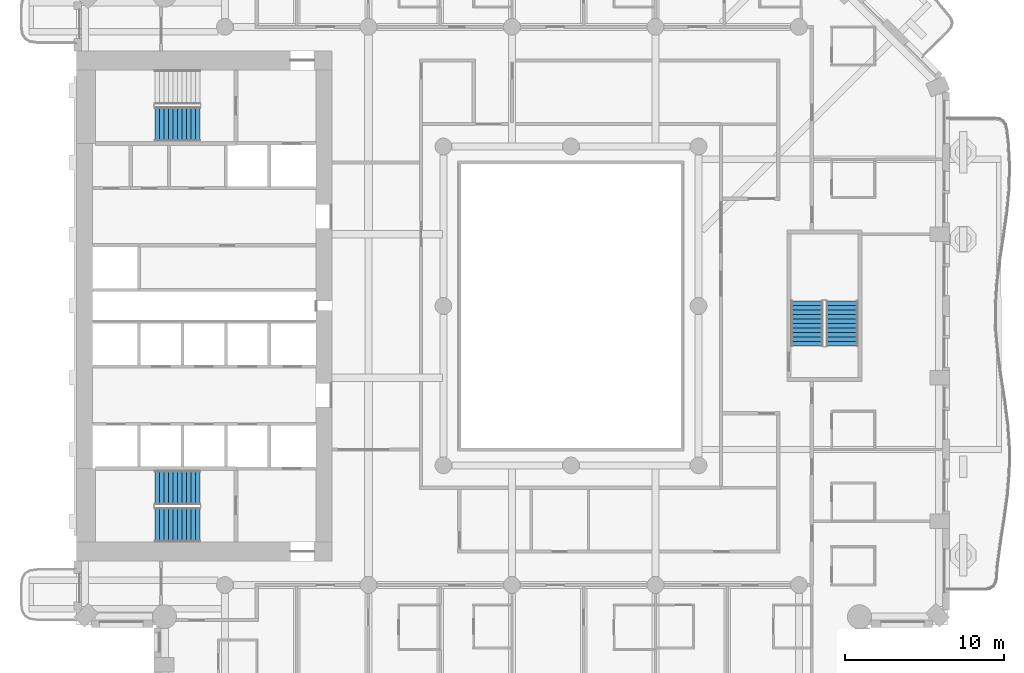
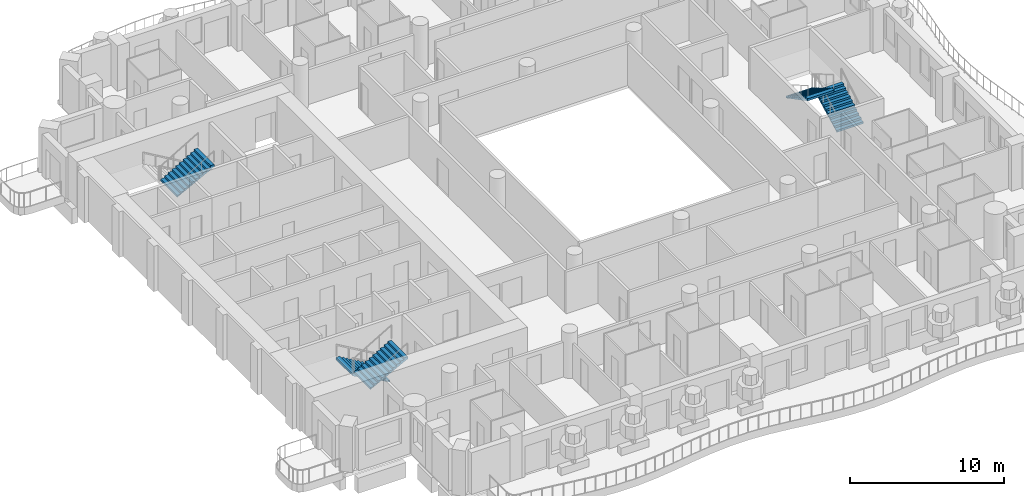
# One storey, part 11 of 20: 5 stair flights, 3 elements without a shape of their own.
"""IFC4 building model written with IfcOpenShell, lengths in metres."""

from ifc_helpers import new_model, si_unit, direction, frame, origin, place, context, subcontext, project, spatial, triangles, material, type_object, element, aggregate, save


model = new_model("IFC4")

# Units and contexts
model_context = context("Model", 3, precision=1e-05, world=origin(), true_north=direction((0.0, 1.0)))
body_context = subcontext(model_context, "Body", "Model", "MODEL_VIEW")
ifc_project = project(units=[si_unit("LENGTHUNIT", "METRE"), si_unit("AREAUNIT", "SQUARE_METRE"), si_unit("VOLUMEUNIT", "CUBIC_METRE"), si_unit("PLANEANGLEUNIT", "RADIAN"), si_unit("MASSUNIT", "GRAM", prefix="KILO")], contexts=[model_context])

# Site, building, storey
site_placement = place(None, origin())
site = spatial("IfcSite", under=ifc_project, at=site_placement, CompositionType="ELEMENT")
building_placement = place(site_placement, origin())
building = spatial("IfcBuilding", under=site, at=building_placement, Name="Cypress Arch Tower", CompositionType="ELEMENT")
storey_placement = place(building_placement, frame((0.0, 0.0, 109.5)))
storey = spatial("IfcBuildingStorey", under=building, at=storey_placement, Name="L22", CompositionType="ELEMENT", Elevation=109.5)

# Stair, stair flights
ifc_material_1 = material(Name="Concrete C40/50", Category="concrete")
stair_type_1 = type_object("IfcStairType", Name="Exit stair ES1636-200", PredefinedType="HALF_TURN_STAIR", material=ifc_material_1)
stair_1_placement = place(storey_placement, origin())
stair_1 = element("IfcStair", 1, at=stair_1_placement, inside=storey, type_object=stair_type_1, Name="L22 Exit stair C", PredefinedType="HALF_TURN_STAIR")
ifc_material_2 = material(Name="Concrete C40/50", Category="concrete")
stair_flight_type_1 = type_object("IfcStairFlightType", Name="Exit stair flight ES1636-200", PredefinedType="STRAIGHT", material=ifc_material_2)
stair_flight_1_placement = place(storey_placement, frame((18.0, -2.5, 0.0), z_axis=(0.0, 0.0, 1.0), x_axis=(0.0, 1.0, 0.0)))
stair_flight_1 = element("IfcStairFlight", 2, at=stair_flight_1_placement, type_object=stair_flight_type_1, Name="C flight 1", NumberOfRisers=11, NumberOfTreads=10, PredefinedType="STRAIGHT", RiserHeight=0.163636364, TreadLength=0.28, context=body_context, shape_type="Tessellation", body=[
    triangles([(0.0, -1.0, 0.0), (0.00048828125, -1.0, 0.054443359375), (0.00048828125, -1.0, 0.109130859375), (0.0, -1.0, 0.16357421875), (0.280029296875, -1.0, 0.16357421875), (0.280029296875, -1.0, 0.327392578125), (0.56005859375, -1.0, 0.327392578125), (0.56005859375, -1.0, 0.490966796875), (0.840087890625, -1.0, 0.490966796875), (0.840087890625, -1.0, 0.654541015625), (1.1201171875, -1.0, 0.654541015625), (1.1201171875, -1.0, 0.818115234375), (1.39990234375, -1.0, 0.818115234375), (1.39990234375, -1.0, 0.98193359375), (1.679931640625, -1.0, 0.98193359375), (1.679931640625, -1.0, 1.1455078125), (1.9599609375, -1.0, 1.1455078125), (1.9599609375, -1.0, 1.30908203125), (2.239990234375, -1.0, 1.30908203125), (2.239990234375, -1.0, 1.47265625), (2.52001953125, -1.0, 1.47265625), (2.52001953125, -1.0, 1.636474609375), (2.800048828125, -1.0, 1.636474609375), (2.799560546875, -1.0, 1.57861328125), (2.799560546875, -1.0, 1.5205078125), (2.800048828125, -1.0, 1.462646484375), (2.800048828125, 1.0, 1.462646484375), (2.799560546875, 1.0, 1.5205078125), (2.799560546875, 1.0, 1.57861328125), (2.800048828125, 1.0, 1.636474609375), (2.52001953125, 1.0, 1.636474609375), (2.52001953125, 1.0, 1.47265625), (2.239990234375, 1.0, 1.47265625), (2.239990234375, 1.0, 1.30908203125), (1.9599609375, 1.0, 1.30908203125), (1.9599609375, 1.0, 1.1455078125), (1.679931640625, 1.0, 1.1455078125), (1.679931640625, 1.0, 0.98193359375), (1.39990234375, 1.0, 0.98193359375), (1.39990234375, 1.0, 0.818115234375), (1.1201171875, 1.0, 0.818115234375), (1.1201171875, 1.0, 0.654541015625), (0.840087890625, 1.0, 0.654541015625), (0.840087890625, 1.0, 0.490966796875), (0.56005859375, 1.0, 0.490966796875), (0.56005859375, 1.0, 0.327392578125), (0.280029296875, 1.0, 0.327392578125), (0.280029296875, 1.0, 0.16357421875), (0.0, 1.0, 0.16357421875), (0.00048828125, 1.0, 0.109130859375), (0.00048828125, 1.0, 0.054443359375), (0.0, 1.0, 0.0), (2.799560546875, 0.0, 1.5205078125), (2.800048828125, 0.0, 1.462646484375), (2.799560546875, 0.0, 1.57861328125), (2.800048828125, 0.0, 1.636474609375), (2.52001953125, 0.0, 1.636474609375), (2.52001953125, 0.0, 1.47265625), (2.239990234375, 0.0, 1.47265625), (2.239990234375, 0.0, 1.30908203125), (1.9599609375, 0.0, 1.30908203125), (1.9599609375, 0.0, 1.1455078125), (1.679931640625, 0.0, 1.1455078125), (1.679931640625, 0.0, 0.98193359375), (1.39990234375, 0.0, 0.98193359375), (1.39990234375, 0.0, 0.818115234375), (1.1201171875, 0.0, 0.818115234375), (1.1201171875, 0.0, 0.654541015625), (0.840087890625, 0.0, 0.654541015625), (0.840087890625, 0.0, 0.490966796875), (0.56005859375, 0.0, 0.490966796875), (0.56005859375, 0.0, 0.327392578125), (0.280029296875, 0.0, 0.327392578125), (0.280029296875, 0.0, 0.16357421875), (0.0, 0.0, 0.16357421875), (0.00048828125, 0.0, 0.109130859375), (0.00048828125, 0.0, 0.054443359375), (0.0, 0.0, 0.0)], [[26, 25, 22], [25, 24, 22], [24, 23, 22], [15, 14, 13], [7, 6, 5], [13, 12, 11], [21, 20, 19], [19, 18, 17], [17, 16, 15], [11, 10, 9], [9, 8, 7], [4, 3, 5], [3, 2, 5], [2, 1, 5], [26, 22, 21], [26, 21, 19], [26, 19, 17], [26, 17, 15], [26, 15, 13], [26, 13, 11], [26, 11, 9], [26, 9, 7], [26, 7, 5], [26, 5, 1], [27, 31, 28], [28, 31, 29], [29, 31, 30], [38, 40, 39], [46, 48, 47], [40, 42, 41], [32, 34, 33], [34, 36, 35], [36, 38, 37], [42, 44, 43], [44, 46, 45], [49, 48, 50], [50, 48, 51], [51, 48, 52], [27, 32, 31], [27, 34, 32], [27, 36, 34], [27, 38, 36], [27, 40, 38], [27, 42, 40], [27, 44, 42], [27, 46, 44], [27, 48, 46], [27, 52, 48], [54, 53, 25], [54, 25, 26], [27, 28, 53], [27, 53, 54], [53, 55, 24], [53, 24, 25], [28, 29, 55], [28, 55, 53], [55, 56, 23], [55, 23, 24], [29, 30, 56], [29, 56, 55], [56, 57, 22], [56, 22, 23], [30, 31, 57], [30, 57, 56], [57, 58, 21], [57, 21, 22], [31, 32, 58], [31, 58, 57], [58, 59, 20], [58, 20, 21], [32, 33, 59], [32, 59, 58], [59, 60, 19], [59, 19, 20], [33, 34, 60], [33, 60, 59], [60, 61, 18], [60, 18, 19], [34, 35, 61], [34, 61, 60], [61, 62, 17], [61, 17, 18], [35, 36, 62], [35, 62, 61], [62, 63, 16], [62, 16, 17], [36, 37, 63], [36, 63, 62], [63, 64, 15], [63, 15, 16], [37, 38, 64], [37, 64, 63], [64, 65, 14], [64, 14, 15], [38, 39, 65], [38, 65, 64], [65, 66, 13], [65, 13, 14], [39, 40, 66], [39, 66, 65], [66, 67, 12], [66, 12, 13], [40, 41, 67], [40, 67, 66], [67, 68, 11], [67, 11, 12], [41, 42, 68], [41, 68, 67], [68, 69, 10], [68, 10, 11], [42, 43, 69], [42, 69, 68], [69, 70, 9], [69, 9, 10], [43, 44, 70], [43, 70, 69], [70, 71, 8], [70, 8, 9], [44, 45, 71], [44, 71, 70], [71, 72, 7], [71, 7, 8], [45, 46, 72], [45, 72, 71], [72, 73, 6], [72, 6, 7], [46, 47, 73], [46, 73, 72], [73, 74, 5], [73, 5, 6], [47, 48, 74], [47, 74, 73], [74, 75, 4], [74, 4, 5], [48, 49, 75], [48, 75, 74], [75, 76, 3], [75, 3, 4], [49, 50, 76], [49, 76, 75], [76, 77, 2], [76, 2, 3], [50, 51, 77], [50, 77, 76], [77, 78, 1], [77, 1, 2], [51, 52, 78], [51, 78, 77], [78, 54, 26], [78, 26, 1], [52, 27, 54], [52, 54, 78]], closed=True),
])
stair_flight_2_placement = place(storey_placement, frame((15.800048828125, 0.300048828125, 1.800048828125), z_axis=(0.0, 0.0, 1.0), x_axis=(0.0, -1.0, 0.0)))
stair_flight_2 = element("IfcStairFlight", 3, at=stair_flight_2_placement, type_object=stair_flight_type_1, Name="C flight 2", NumberOfRisers=11, NumberOfTreads=10, PredefinedType="STRAIGHT", RiserHeight=0.163636364, TreadLength=0.28, context=body_context, shape_type="Tessellation", body=[
    triangles([(0.0, -1.0, 0.0), (0.00048828125, -1.0, 0.054443359375), (0.00048828125, -1.0, 0.109130859375), (0.0, -1.0, 0.16357421875), (0.280029296875, -1.0, 0.16357421875), (0.280029296875, -1.0, 0.327392578125), (0.56005859375, -1.0, 0.327392578125), (0.56005859375, -1.0, 0.490966796875), (0.840087890625, -1.0, 0.490966796875), (0.840087890625, -1.0, 0.654541015625), (1.1201171875, -1.0, 0.654541015625), (1.1201171875, -1.0, 0.818115234375), (1.39990234375, -1.0, 0.818115234375), (1.39990234375, -1.0, 0.98193359375), (1.679931640625, -1.0, 0.98193359375), (1.679931640625, -1.0, 1.1455078125), (1.9599609375, -1.0, 1.1455078125), (1.9599609375, -1.0, 1.30908203125), (2.239990234375, -1.0, 1.30908203125), (2.239990234375, -1.0, 1.47265625), (2.52001953125, -1.0, 1.47265625), (2.52001953125, -1.0, 1.636474609375), (2.800048828125, -1.0, 1.636474609375), (2.799560546875, -1.0, 1.57861328125), (2.799560546875, -1.0, 1.5205078125), (2.800048828125, -1.0, 1.462646484375), (2.800048828125, 1.0, 1.462646484375), (2.799560546875, 1.0, 1.5205078125), (2.799560546875, 1.0, 1.57861328125), (2.800048828125, 1.0, 1.636474609375), (2.52001953125, 1.0, 1.636474609375), (2.52001953125, 1.0, 1.47265625), (2.239990234375, 1.0, 1.47265625), (2.239990234375, 1.0, 1.30908203125), (1.9599609375, 1.0, 1.30908203125), (1.9599609375, 1.0, 1.1455078125), (1.679931640625, 1.0, 1.1455078125), (1.679931640625, 1.0, 0.98193359375), (1.39990234375, 1.0, 0.98193359375), (1.39990234375, 1.0, 0.818115234375), (1.1201171875, 1.0, 0.818115234375), (1.1201171875, 1.0, 0.654541015625), (0.840087890625, 1.0, 0.654541015625), (0.840087890625, 1.0, 0.490966796875), (0.56005859375, 1.0, 0.490966796875), (0.56005859375, 1.0, 0.327392578125), (0.280029296875, 1.0, 0.327392578125), (0.280029296875, 1.0, 0.16357421875), (0.0, 1.0, 0.16357421875), (0.00048828125, 1.0, 0.109130859375), (0.00048828125, 1.0, 0.054443359375), (0.0, 1.0, 0.0), (2.799560546875, 0.0, 1.5205078125), (2.800048828125, 0.0, 1.462646484375), (2.799560546875, 0.0, 1.57861328125), (2.800048828125, 0.0, 1.636474609375), (2.52001953125, 0.0, 1.636474609375), (2.52001953125, 0.0, 1.47265625), (2.239990234375, 0.0, 1.47265625), (2.239990234375, 0.0, 1.30908203125), (1.9599609375, 0.0, 1.30908203125), (1.9599609375, 0.0, 1.1455078125), (1.679931640625, 0.0, 1.1455078125), (1.679931640625, 0.0, 0.98193359375), (1.39990234375, 0.0, 0.98193359375), (1.39990234375, 0.0, 0.818115234375), (1.1201171875, 0.0, 0.818115234375), (1.1201171875, 0.0, 0.654541015625), (0.840087890625, 0.0, 0.654541015625), (0.840087890625, 0.0, 0.490966796875), (0.56005859375, 0.0, 0.490966796875), (0.56005859375, 0.0, 0.327392578125), (0.280029296875, 0.0, 0.327392578125), (0.280029296875, 0.0, 0.16357421875), (0.0, 0.0, 0.16357421875), (0.00048828125, 0.0, 0.109130859375), (0.00048828125, 0.0, 0.054443359375), (0.0, 0.0, 0.0)], [[26, 25, 22], [25, 24, 22], [24, 23, 22], [15, 14, 13], [7, 6, 5], [13, 12, 11], [21, 20, 19], [19, 18, 17], [17, 16, 15], [11, 10, 9], [9, 8, 7], [4, 3, 5], [3, 2, 5], [2, 1, 5], [26, 22, 21], [26, 21, 19], [26, 19, 17], [26, 17, 15], [26, 15, 13], [26, 13, 11], [26, 11, 9], [26, 9, 7], [26, 7, 5], [26, 5, 1], [27, 31, 28], [28, 31, 29], [29, 31, 30], [38, 40, 39], [46, 48, 47], [40, 42, 41], [32, 34, 33], [34, 36, 35], [36, 38, 37], [42, 44, 43], [44, 46, 45], [49, 48, 50], [50, 48, 51], [51, 48, 52], [27, 32, 31], [27, 34, 32], [27, 36, 34], [27, 38, 36], [27, 40, 38], [27, 42, 40], [27, 44, 42], [27, 46, 44], [27, 48, 46], [27, 52, 48], [54, 53, 25], [54, 25, 26], [27, 28, 53], [27, 53, 54], [53, 55, 24], [53, 24, 25], [28, 29, 55], [28, 55, 53], [55, 56, 23], [55, 23, 24], [29, 30, 56], [29, 56, 55], [56, 57, 22], [56, 22, 23], [30, 31, 57], [30, 57, 56], [57, 58, 21], [57, 21, 22], [31, 32, 58], [31, 58, 57], [58, 59, 20], [58, 20, 21], [32, 33, 59], [32, 59, 58], [59, 60, 19], [59, 19, 20], [33, 34, 60], [33, 60, 59], [60, 61, 18], [60, 18, 19], [34, 35, 61], [34, 61, 60], [61, 62, 17], [61, 17, 18], [35, 36, 62], [35, 62, 61], [62, 63, 16], [62, 16, 17], [36, 37, 63], [36, 63, 62], [63, 64, 15], [63, 15, 16], [37, 38, 64], [37, 64, 63], [64, 65, 14], [64, 14, 15], [38, 39, 65], [38, 65, 64], [65, 66, 13], [65, 13, 14], [39, 40, 66], [39, 66, 65], [66, 67, 12], [66, 12, 13], [40, 41, 67], [40, 67, 66], [67, 68, 11], [67, 11, 12], [41, 42, 68], [41, 68, 67], [68, 69, 10], [68, 10, 11], [42, 43, 69], [42, 69, 68], [69, 70, 9], [69, 9, 10], [43, 44, 70], [43, 70, 69], [70, 71, 8], [70, 8, 9], [44, 45, 71], [44, 71, 70], [71, 72, 7], [71, 7, 8], [45, 46, 72], [45, 72, 71], [72, 73, 6], [72, 6, 7], [46, 47, 73], [46, 73, 72], [73, 74, 5], [73, 5, 6], [47, 48, 74], [47, 74, 73], [74, 75, 4], [74, 4, 5], [48, 49, 75], [48, 75, 74], [75, 76, 3], [75, 3, 4], [49, 50, 76], [49, 76, 75], [76, 77, 2], [76, 2, 3], [50, 51, 77], [50, 77, 76], [77, 78, 1], [77, 1, 2], [51, 52, 78], [51, 78, 77], [78, 54, 26], [78, 26, 1], [52, 27, 54], [52, 54, 78]], closed=True),
])
aggregate(stair_1, [stair_flight_1, stair_flight_2])

ifc_material_3 = material(Name="Concrete C40/50", Category="concrete")
stair_type_2 = type_object("IfcStairType", Name="Exit stair ES1636-215", PredefinedType="HALF_TURN_STAIR", material=ifc_material_3)
stair_2_placement = place(storey_placement, origin())
stair_2 = element("IfcStair", 4, at=stair_2_placement, inside=storey, type_object=stair_type_2, Name="L22 Exit stair A", PredefinedType="HALF_TURN_STAIR")
ifc_material_4 = material(Name="Concrete C40/50", Category="concrete")
stair_flight_type_2 = type_object("IfcStairFlightType", Name="Exit stair flight ES1636-215", PredefinedType="STRAIGHT", material=ifc_material_4)
stair_flight_3_placement = place(storey_placement, frame((-22.27490234375, -11.39990234375, 0.0), z_axis=(0.0, 0.0, 1.0), x_axis=(-1.0, 0.0, 0.0)))
stair_flight_3 = element("IfcStairFlight", 5, at=stair_flight_3_placement, type_object=stair_flight_type_2, Name="A flight 1", NumberOfRisers=11, NumberOfTreads=10, PredefinedType="STRAIGHT", RiserHeight=0.163636364, TreadLength=0.28, context=body_context, shape_type="Tessellation", body=[
    triangles([(0.0, -1.074951171875, 0.0), (0.000244140625, -1.074951171875, 0.03271484375), (0.00048828125, -1.074951171875, 0.0654296875), (0.00048828125, -1.074951171875, 0.09814453125), (0.000244140625, -1.074951171875, 0.130859375), (0.0, -1.074951171875, 0.16357421875), (0.280029296875, -1.074951171875, 0.16357421875), (0.280029296875, -1.074951171875, 0.327392578125), (0.56005859375, -1.074951171875, 0.327392578125), (0.56005859375, -1.074951171875, 0.490966796875), (0.840087890625, -1.074951171875, 0.490966796875), (0.840087890625, -1.074951171875, 0.654541015625), (1.1201171875, -1.074951171875, 0.654541015625), (1.1201171875, -1.074951171875, 0.818115234375), (1.39990234375, -1.074951171875, 0.818115234375), (1.39990234375, -1.074951171875, 0.98193359375), (1.679931640625, -1.074951171875, 0.98193359375), (1.679931640625, -1.074951171875, 1.1455078125), (1.9599609375, -1.074951171875, 1.1455078125), (1.9599609375, -1.074951171875, 1.30908203125), (2.239990234375, -1.074951171875, 1.30908203125), (2.239990234375, -1.074951171875, 1.47265625), (2.52001953125, -1.074951171875, 1.47265625), (2.52001953125, -1.074951171875, 1.636474609375), (2.800048828125, -1.074951171875, 1.636474609375), (2.7998046875, -1.074951171875, 1.601806640625), (2.799560546875, -1.074951171875, 1.56689453125), (2.799560546875, -1.074951171875, 1.5322265625), (2.7998046875, -1.074951171875, 1.497314453125), (2.800048828125, -1.074951171875, 1.462646484375), (2.800048828125, 1.074951171875, 1.462646484375), (2.7998046875, 1.074951171875, 1.497314453125), (2.799560546875, 1.074951171875, 1.5322265625), (2.799560546875, 1.074951171875, 1.56689453125), (2.7998046875, 1.074951171875, 1.601806640625), (2.800048828125, 1.074951171875, 1.636474609375), (2.52001953125, 1.074951171875, 1.636474609375), (2.52001953125, 1.074951171875, 1.47265625), (2.239990234375, 1.074951171875, 1.47265625), (2.239990234375, 1.074951171875, 1.30908203125), (1.9599609375, 1.074951171875, 1.30908203125), (1.9599609375, 1.074951171875, 1.1455078125), (1.679931640625, 1.074951171875, 1.1455078125), (1.679931640625, 1.074951171875, 0.98193359375), (1.39990234375, 1.074951171875, 0.98193359375), (1.39990234375, 1.074951171875, 0.818115234375), (1.1201171875, 1.074951171875, 0.818115234375), (1.1201171875, 1.074951171875, 0.654541015625), (0.840087890625, 1.074951171875, 0.654541015625), (0.840087890625, 1.074951171875, 0.490966796875), (0.56005859375, 1.074951171875, 0.490966796875), (0.56005859375, 1.074951171875, 0.327392578125), (0.280029296875, 1.074951171875, 0.327392578125), (0.280029296875, 1.074951171875, 0.16357421875), (0.0, 1.074951171875, 0.16357421875), (0.000244140625, 1.074951171875, 0.130859375), (0.00048828125, 1.074951171875, 0.09814453125), (0.00048828125, 1.074951171875, 0.0654296875), (0.000244140625, 1.074951171875, 0.03271484375), (0.0, 1.074951171875, 0.0), (2.7998046875, 0.0, 1.497314453125), (2.800048828125, 0.0, 1.462646484375), (2.799560546875, 0.0, 1.5322265625), (2.799560546875, 0.0, 1.56689453125), (2.7998046875, 0.0, 1.601806640625), (2.800048828125, 0.0, 1.636474609375), (2.52001953125, 0.0, 1.636474609375), (2.52001953125, 0.0, 1.47265625), (2.239990234375, 0.0, 1.47265625), (2.239990234375, 0.0, 1.30908203125), (1.9599609375, 0.0, 1.30908203125), (1.9599609375, 0.0, 1.1455078125), (1.679931640625, 0.0, 1.1455078125), (1.679931640625, 0.0, 0.98193359375), (1.39990234375, 0.0, 0.98193359375), (1.39990234375, 0.0, 0.818115234375), (1.1201171875, 0.0, 0.818115234375), (1.1201171875, 0.0, 0.654541015625), (0.840087890625, 0.0, 0.654541015625), (0.840087890625, 0.0, 0.490966796875), (0.56005859375, 0.0, 0.490966796875), (0.56005859375, 0.0, 0.327392578125), (0.280029296875, 0.0, 0.327392578125), (0.280029296875, 0.0, 0.16357421875), (0.0, 0.0, 0.16357421875), (0.000244140625, 0.0, 0.130859375), (0.00048828125, 0.0, 0.09814453125), (0.00048828125, 0.0, 0.0654296875), (0.000244140625, 0.0, 0.03271484375), (0.0, 0.0, 0.0)], [[30, 29, 24], [29, 28, 24], [28, 27, 24], [27, 26, 24], [26, 25, 24], [17, 16, 15], [9, 8, 7], [15, 14, 13], [23, 22, 21], [21, 20, 19], [19, 18, 17], [13, 12, 11], [11, 10, 9], [6, 5, 7], [5, 4, 7], [4, 3, 7], [3, 2, 7], [2, 1, 7], [30, 24, 23], [30, 23, 21], [30, 21, 19], [30, 19, 17], [30, 17, 15], [30, 15, 13], [30, 13, 11], [30, 11, 9], [30, 9, 7], [30, 7, 1], [31, 37, 32], [32, 37, 33], [33, 37, 34], [34, 37, 35], [35, 37, 36], [44, 46, 45], [52, 54, 53], [46, 48, 47], [38, 40, 39], [40, 42, 41], [42, 44, 43], [48, 50, 49], [50, 52, 51], [55, 54, 56], [56, 54, 57], [57, 54, 58], [58, 54, 59], [59, 54, 60], [31, 38, 37], [31, 40, 38], [31, 42, 40], [31, 44, 42], [31, 46, 44], [31, 48, 46], [31, 50, 48], [31, 52, 50], [31, 54, 52], [31, 60, 54], [62, 61, 29], [62, 29, 30], [31, 32, 61], [31, 61, 62], [61, 63, 28], [61, 28, 29], [32, 33, 63], [32, 63, 61], [63, 64, 27], [63, 27, 28], [33, 34, 64], [33, 64, 63], [64, 65, 26], [64, 26, 27], [34, 35, 65], [34, 65, 64], [65, 66, 25], [65, 25, 26], [35, 36, 66], [35, 66, 65], [66, 67, 24], [66, 24, 25], [36, 37, 67], [36, 67, 66], [67, 68, 23], [67, 23, 24], [37, 38, 68], [37, 68, 67], [68, 69, 22], [68, 22, 23], [38, 39, 69], [38, 69, 68], [69, 70, 21], [69, 21, 22], [39, 40, 70], [39, 70, 69], [70, 71, 20], [70, 20, 21], [40, 41, 71], [40, 71, 70], [71, 72, 19], [71, 19, 20], [41, 42, 72], [41, 72, 71], [72, 73, 18], [72, 18, 19], [42, 43, 73], [42, 73, 72], [73, 74, 17], [73, 17, 18], [43, 44, 74], [43, 74, 73], [74, 75, 16], [74, 16, 17], [44, 45, 75], [44, 75, 74], [75, 76, 15], [75, 15, 16], [45, 46, 76], [45, 76, 75], [76, 77, 14], [76, 14, 15], [46, 47, 77], [46, 77, 76], [77, 78, 13], [77, 13, 14], [47, 48, 78], [47, 78, 77], [78, 79, 12], [78, 12, 13], [48, 49, 79], [48, 79, 78], [79, 80, 11], [79, 11, 12], [49, 50, 80], [49, 80, 79], [80, 81, 10], [80, 10, 11], [50, 51, 81], [50, 81, 80], [81, 82, 9], [81, 9, 10], [51, 52, 82], [51, 82, 81], [82, 83, 8], [82, 8, 9], [52, 53, 83], [52, 83, 82], [83, 84, 7], [83, 7, 8], [53, 54, 84], [53, 84, 83], [84, 85, 6], [84, 6, 7], [54, 55, 85], [54, 85, 84], [85, 86, 5], [85, 5, 6], [55, 56, 86], [55, 86, 85], [86, 87, 4], [86, 4, 5], [56, 57, 87], [56, 87, 86], [87, 88, 3], [87, 3, 4], [57, 58, 88], [57, 88, 87], [88, 89, 2], [88, 2, 3], [58, 59, 89], [58, 89, 88], [89, 90, 1], [89, 1, 2], [59, 60, 90], [59, 90, 89], [90, 62, 30], [90, 30, 1], [60, 31, 62], [60, 62, 90]], closed=True),
])
stair_flight_4_placement = place(storey_placement, frame((-25.074951171875, -13.72509765625, 1.800048828125), z_axis=(0.0, 0.0, 1.0), x_axis=(1.0, 0.0, 0.0)))
stair_flight_4 = element("IfcStairFlight", 6, at=stair_flight_4_placement, type_object=stair_flight_type_2, Name="A flight 2", NumberOfRisers=11, NumberOfTreads=10, PredefinedType="STRAIGHT", RiserHeight=0.163636364, TreadLength=0.28, context=body_context, shape_type="Tessellation", body=[
    triangles([(0.0, -1.074951171875, 0.0), (0.000244140625, -1.074951171875, 0.03271484375), (0.00048828125, -1.074951171875, 0.0654296875), (0.00048828125, -1.074951171875, 0.09814453125), (0.000244140625, -1.074951171875, 0.130859375), (0.0, -1.074951171875, 0.16357421875), (0.280029296875, -1.074951171875, 0.16357421875), (0.280029296875, -1.074951171875, 0.327392578125), (0.56005859375, -1.074951171875, 0.327392578125), (0.56005859375, -1.074951171875, 0.490966796875), (0.840087890625, -1.074951171875, 0.490966796875), (0.840087890625, -1.074951171875, 0.654541015625), (1.1201171875, -1.074951171875, 0.654541015625), (1.1201171875, -1.074951171875, 0.818115234375), (1.39990234375, -1.074951171875, 0.818115234375), (1.39990234375, -1.074951171875, 0.98193359375), (1.679931640625, -1.074951171875, 0.98193359375), (1.679931640625, -1.074951171875, 1.1455078125), (1.9599609375, -1.074951171875, 1.1455078125), (1.9599609375, -1.074951171875, 1.30908203125), (2.239990234375, -1.074951171875, 1.30908203125), (2.239990234375, -1.074951171875, 1.47265625), (2.52001953125, -1.074951171875, 1.47265625), (2.52001953125, -1.074951171875, 1.636474609375), (2.800048828125, -1.074951171875, 1.636474609375), (2.7998046875, -1.074951171875, 1.601806640625), (2.799560546875, -1.074951171875, 1.56689453125), (2.799560546875, -1.074951171875, 1.5322265625), (2.7998046875, -1.074951171875, 1.497314453125), (2.800048828125, -1.074951171875, 1.462646484375), (2.800048828125, 1.074951171875, 1.462646484375), (2.7998046875, 1.074951171875, 1.497314453125), (2.799560546875, 1.074951171875, 1.5322265625), (2.799560546875, 1.074951171875, 1.56689453125), (2.7998046875, 1.074951171875, 1.601806640625), (2.800048828125, 1.074951171875, 1.636474609375), (2.52001953125, 1.074951171875, 1.636474609375), (2.52001953125, 1.074951171875, 1.47265625), (2.239990234375, 1.074951171875, 1.47265625), (2.239990234375, 1.074951171875, 1.30908203125), (1.9599609375, 1.074951171875, 1.30908203125), (1.9599609375, 1.074951171875, 1.1455078125), (1.679931640625, 1.074951171875, 1.1455078125), (1.679931640625, 1.074951171875, 0.98193359375), (1.39990234375, 1.074951171875, 0.98193359375), (1.39990234375, 1.074951171875, 0.818115234375), (1.1201171875, 1.074951171875, 0.818115234375), (1.1201171875, 1.074951171875, 0.654541015625), (0.840087890625, 1.074951171875, 0.654541015625), (0.840087890625, 1.074951171875, 0.490966796875), (0.56005859375, 1.074951171875, 0.490966796875), (0.56005859375, 1.074951171875, 0.327392578125), (0.280029296875, 1.074951171875, 0.327392578125), (0.280029296875, 1.074951171875, 0.16357421875), (0.0, 1.074951171875, 0.16357421875), (0.000244140625, 1.074951171875, 0.130859375), (0.00048828125, 1.074951171875, 0.09814453125), (0.00048828125, 1.074951171875, 0.0654296875), (0.000244140625, 1.074951171875, 0.03271484375), (0.0, 1.074951171875, 0.0), (2.7998046875, 0.0, 1.497314453125), (2.800048828125, 0.0, 1.462646484375), (2.799560546875, 0.0, 1.5322265625), (2.799560546875, 0.0, 1.56689453125), (2.7998046875, 0.0, 1.601806640625), (2.800048828125, 0.0, 1.636474609375), (2.52001953125, 0.0, 1.636474609375), (2.52001953125, 0.0, 1.47265625), (2.239990234375, 0.0, 1.47265625), (2.239990234375, 0.0, 1.30908203125), (1.9599609375, 0.0, 1.30908203125), (1.9599609375, 0.0, 1.1455078125), (1.679931640625, 0.0, 1.1455078125), (1.679931640625, 0.0, 0.98193359375), (1.39990234375, 0.0, 0.98193359375), (1.39990234375, 0.0, 0.818115234375), (1.1201171875, 0.0, 0.818115234375), (1.1201171875, 0.0, 0.654541015625), (0.840087890625, 0.0, 0.654541015625), (0.840087890625, 0.0, 0.490966796875), (0.56005859375, 0.0, 0.490966796875), (0.56005859375, 0.0, 0.327392578125), (0.280029296875, 0.0, 0.327392578125), (0.280029296875, 0.0, 0.16357421875), (0.0, 0.0, 0.16357421875), (0.000244140625, 0.0, 0.130859375), (0.00048828125, 0.0, 0.09814453125), (0.00048828125, 0.0, 0.0654296875), (0.000244140625, 0.0, 0.03271484375), (0.0, 0.0, 0.0)], [[30, 29, 24], [29, 28, 24], [28, 27, 24], [27, 26, 24], [26, 25, 24], [17, 16, 15], [9, 8, 7], [15, 14, 13], [23, 22, 21], [21, 20, 19], [19, 18, 17], [13, 12, 11], [11, 10, 9], [6, 5, 7], [5, 4, 7], [4, 3, 7], [3, 2, 7], [2, 1, 7], [30, 24, 23], [30, 23, 21], [30, 21, 19], [30, 19, 17], [30, 17, 15], [30, 15, 13], [30, 13, 11], [30, 11, 9], [30, 9, 7], [30, 7, 1], [31, 37, 32], [32, 37, 33], [33, 37, 34], [34, 37, 35], [35, 37, 36], [44, 46, 45], [52, 54, 53], [46, 48, 47], [38, 40, 39], [40, 42, 41], [42, 44, 43], [48, 50, 49], [50, 52, 51], [55, 54, 56], [56, 54, 57], [57, 54, 58], [58, 54, 59], [59, 54, 60], [31, 38, 37], [31, 40, 38], [31, 42, 40], [31, 44, 42], [31, 46, 44], [31, 48, 46], [31, 50, 48], [31, 52, 50], [31, 54, 52], [31, 60, 54], [62, 61, 29], [62, 29, 30], [31, 32, 61], [31, 61, 62], [61, 63, 28], [61, 28, 29], [32, 33, 63], [32, 63, 61], [63, 64, 27], [63, 27, 28], [33, 34, 64], [33, 64, 63], [64, 65, 26], [64, 26, 27], [34, 35, 65], [34, 65, 64], [65, 66, 25], [65, 25, 26], [35, 36, 66], [35, 66, 65], [66, 67, 24], [66, 24, 25], [36, 37, 67], [36, 67, 66], [67, 68, 23], [67, 23, 24], [37, 38, 68], [37, 68, 67], [68, 69, 22], [68, 22, 23], [38, 39, 69], [38, 69, 68], [69, 70, 21], [69, 21, 22], [39, 40, 70], [39, 70, 69], [70, 71, 20], [70, 20, 21], [40, 41, 71], [40, 71, 70], [71, 72, 19], [71, 19, 20], [41, 42, 72], [41, 72, 71], [72, 73, 18], [72, 18, 19], [42, 43, 73], [42, 73, 72], [73, 74, 17], [73, 17, 18], [43, 44, 74], [43, 74, 73], [74, 75, 16], [74, 16, 17], [44, 45, 75], [44, 75, 74], [75, 76, 15], [75, 15, 16], [45, 46, 76], [45, 76, 75], [76, 77, 14], [76, 14, 15], [46, 47, 77], [46, 77, 76], [77, 78, 13], [77, 13, 14], [47, 48, 78], [47, 78, 77], [78, 79, 12], [78, 12, 13], [48, 49, 79], [48, 79, 78], [79, 80, 11], [79, 11, 12], [49, 50, 80], [49, 80, 79], [80, 81, 10], [80, 10, 11], [50, 51, 81], [50, 81, 80], [81, 82, 9], [81, 9, 10], [51, 52, 82], [51, 82, 81], [82, 83, 8], [82, 8, 9], [52, 53, 83], [52, 83, 82], [83, 84, 7], [83, 7, 8], [53, 54, 84], [53, 84, 83], [84, 85, 6], [84, 6, 7], [54, 55, 85], [54, 85, 84], [85, 86, 5], [85, 5, 6], [55, 56, 86], [55, 86, 85], [86, 87, 4], [86, 4, 5], [56, 57, 87], [56, 87, 86], [87, 88, 3], [87, 3, 4], [57, 58, 88], [57, 88, 87], [88, 89, 2], [88, 2, 3], [58, 59, 89], [58, 89, 88], [89, 90, 1], [89, 1, 2], [59, 60, 90], [59, 90, 89], [90, 62, 30], [90, 30, 1], [60, 31, 62], [60, 62, 90]], closed=True),
])
aggregate(stair_2, [stair_flight_3, stair_flight_4])

# Stair, stair flight
stair_3_placement = place(storey_placement, origin())
stair_3 = element("IfcStair", 7, at=stair_3_placement, inside=storey, type_object=stair_type_2, Name="L22 Exit stair B", PredefinedType="HALF_TURN_STAIR")
stair_flight_5_placement = place(storey_placement, frame((-25.074951171875, 11.39990234375, 1.800048828125), z_axis=(0.0, 0.0, 1.0), x_axis=(1.0, 0.0, 0.0)))
stair_flight_5 = element("IfcStairFlight", 8, at=stair_flight_5_placement, type_object=stair_flight_type_2, Name="B flight 2", NumberOfRisers=11, NumberOfTreads=10, PredefinedType="STRAIGHT", RiserHeight=0.163636364, TreadLength=0.28, context=body_context, shape_type="Tessellation", body=[
    triangles([(0.0, -1.074951171875, 0.0), (0.000244140625, -1.074951171875, 0.03271484375), (0.00048828125, -1.074951171875, 0.0654296875), (0.00048828125, -1.074951171875, 0.09814453125), (0.000244140625, -1.074951171875, 0.130859375), (0.0, -1.074951171875, 0.16357421875), (0.280029296875, -1.074951171875, 0.16357421875), (0.280029296875, -1.074951171875, 0.327392578125), (0.56005859375, -1.074951171875, 0.327392578125), (0.56005859375, -1.074951171875, 0.490966796875), (0.840087890625, -1.074951171875, 0.490966796875), (0.840087890625, -1.074951171875, 0.654541015625), (1.1201171875, -1.074951171875, 0.654541015625), (1.1201171875, -1.074951171875, 0.818115234375), (1.39990234375, -1.074951171875, 0.818115234375), (1.39990234375, -1.074951171875, 0.98193359375), (1.679931640625, -1.074951171875, 0.98193359375), (1.679931640625, -1.074951171875, 1.1455078125), (1.9599609375, -1.074951171875, 1.1455078125), (1.9599609375, -1.074951171875, 1.30908203125), (2.239990234375, -1.074951171875, 1.30908203125), (2.239990234375, -1.074951171875, 1.47265625), (2.52001953125, -1.074951171875, 1.47265625), (2.52001953125, -1.074951171875, 1.636474609375), (2.800048828125, -1.074951171875, 1.636474609375), (2.7998046875, -1.074951171875, 1.601806640625), (2.799560546875, -1.074951171875, 1.56689453125), (2.799560546875, -1.074951171875, 1.5322265625), (2.7998046875, -1.074951171875, 1.497314453125), (2.800048828125, -1.074951171875, 1.462646484375), (2.800048828125, 1.074951171875, 1.462646484375), (2.7998046875, 1.074951171875, 1.497314453125), (2.799560546875, 1.074951171875, 1.5322265625), (2.799560546875, 1.074951171875, 1.56689453125), (2.7998046875, 1.074951171875, 1.601806640625), (2.800048828125, 1.074951171875, 1.636474609375), (2.52001953125, 1.074951171875, 1.636474609375), (2.52001953125, 1.074951171875, 1.47265625), (2.239990234375, 1.074951171875, 1.47265625), (2.239990234375, 1.074951171875, 1.30908203125), (1.9599609375, 1.074951171875, 1.30908203125), (1.9599609375, 1.074951171875, 1.1455078125), (1.679931640625, 1.074951171875, 1.1455078125), (1.679931640625, 1.074951171875, 0.98193359375), (1.39990234375, 1.074951171875, 0.98193359375), (1.39990234375, 1.074951171875, 0.818115234375), (1.1201171875, 1.074951171875, 0.818115234375), (1.1201171875, 1.074951171875, 0.654541015625), (0.840087890625, 1.074951171875, 0.654541015625), (0.840087890625, 1.074951171875, 0.490966796875), (0.56005859375, 1.074951171875, 0.490966796875), (0.56005859375, 1.074951171875, 0.327392578125), (0.280029296875, 1.074951171875, 0.327392578125), (0.280029296875, 1.074951171875, 0.16357421875), (0.0, 1.074951171875, 0.16357421875), (0.000244140625, 1.074951171875, 0.130859375), (0.00048828125, 1.074951171875, 0.09814453125), (0.00048828125, 1.074951171875, 0.0654296875), (0.000244140625, 1.074951171875, 0.03271484375), (0.0, 1.074951171875, 0.0), (2.7998046875, 0.0, 1.497314453125), (2.800048828125, 0.0, 1.462646484375), (2.799560546875, 0.0, 1.5322265625), (2.799560546875, 0.0, 1.56689453125), (2.7998046875, 0.0, 1.601806640625), (2.800048828125, 0.0, 1.636474609375), (2.52001953125, 0.0, 1.636474609375), (2.52001953125, 0.0, 1.47265625), (2.239990234375, 0.0, 1.47265625), (2.239990234375, 0.0, 1.30908203125), (1.9599609375, 0.0, 1.30908203125), (1.9599609375, 0.0, 1.1455078125), (1.679931640625, 0.0, 1.1455078125), (1.679931640625, 0.0, 0.98193359375), (1.39990234375, 0.0, 0.98193359375), (1.39990234375, 0.0, 0.818115234375), (1.1201171875, 0.0, 0.818115234375), (1.1201171875, 0.0, 0.654541015625), (0.840087890625, 0.0, 0.654541015625), (0.840087890625, 0.0, 0.490966796875), (0.56005859375, 0.0, 0.490966796875), (0.56005859375, 0.0, 0.327392578125), (0.280029296875, 0.0, 0.327392578125), (0.280029296875, 0.0, 0.16357421875), (0.0, 0.0, 0.16357421875), (0.000244140625, 0.0, 0.130859375), (0.00048828125, 0.0, 0.09814453125), (0.00048828125, 0.0, 0.0654296875), (0.000244140625, 0.0, 0.03271484375), (0.0, 0.0, 0.0)], [[30, 29, 24], [29, 28, 24], [28, 27, 24], [27, 26, 24], [26, 25, 24], [17, 16, 15], [9, 8, 7], [15, 14, 13], [23, 22, 21], [21, 20, 19], [19, 18, 17], [13, 12, 11], [11, 10, 9], [6, 5, 7], [5, 4, 7], [4, 3, 7], [3, 2, 7], [2, 1, 7], [30, 24, 23], [30, 23, 21], [30, 21, 19], [30, 19, 17], [30, 17, 15], [30, 15, 13], [30, 13, 11], [30, 11, 9], [30, 9, 7], [30, 7, 1], [31, 37, 32], [32, 37, 33], [33, 37, 34], [34, 37, 35], [35, 37, 36], [44, 46, 45], [52, 54, 53], [46, 48, 47], [38, 40, 39], [40, 42, 41], [42, 44, 43], [48, 50, 49], [50, 52, 51], [55, 54, 56], [56, 54, 57], [57, 54, 58], [58, 54, 59], [59, 54, 60], [31, 38, 37], [31, 40, 38], [31, 42, 40], [31, 44, 42], [31, 46, 44], [31, 48, 46], [31, 50, 48], [31, 52, 50], [31, 54, 52], [31, 60, 54], [62, 61, 29], [62, 29, 30], [31, 32, 61], [31, 61, 62], [61, 63, 28], [61, 28, 29], [32, 33, 63], [32, 63, 61], [63, 64, 27], [63, 27, 28], [33, 34, 64], [33, 64, 63], [64, 65, 26], [64, 26, 27], [34, 35, 65], [34, 65, 64], [65, 66, 25], [65, 25, 26], [35, 36, 66], [35, 66, 65], [66, 67, 24], [66, 24, 25], [36, 37, 67], [36, 67, 66], [67, 68, 23], [67, 23, 24], [37, 38, 68], [37, 68, 67], [68, 69, 22], [68, 22, 23], [38, 39, 69], [38, 69, 68], [69, 70, 21], [69, 21, 22], [39, 40, 70], [39, 70, 69], [70, 71, 20], [70, 20, 21], [40, 41, 71], [40, 71, 70], [71, 72, 19], [71, 19, 20], [41, 42, 72], [41, 72, 71], [72, 73, 18], [72, 18, 19], [42, 43, 73], [42, 73, 72], [73, 74, 17], [73, 17, 18], [43, 44, 74], [43, 74, 73], [74, 75, 16], [74, 16, 17], [44, 45, 75], [44, 75, 74], [75, 76, 15], [75, 15, 16], [45, 46, 76], [45, 76, 75], [76, 77, 14], [76, 14, 15], [46, 47, 77], [46, 77, 76], [77, 78, 13], [77, 13, 14], [47, 48, 78], [47, 78, 77], [78, 79, 12], [78, 12, 13], [48, 49, 79], [48, 79, 78], [79, 80, 11], [79, 11, 12], [49, 50, 80], [49, 80, 79], [80, 81, 10], [80, 10, 11], [50, 51, 81], [50, 81, 80], [81, 82, 9], [81, 9, 10], [51, 52, 82], [51, 82, 81], [82, 83, 8], [82, 8, 9], [52, 53, 83], [52, 83, 82], [83, 84, 7], [83, 7, 8], [53, 54, 84], [53, 84, 83], [84, 85, 6], [84, 6, 7], [54, 55, 85], [54, 85, 84], [85, 86, 5], [85, 5, 6], [55, 56, 86], [55, 86, 85], [86, 87, 4], [86, 4, 5], [56, 57, 87], [56, 87, 86], [87, 88, 3], [87, 3, 4], [57, 58, 88], [57, 88, 87], [88, 89, 2], [88, 2, 3], [58, 59, 89], [58, 89, 88], [89, 90, 1], [89, 1, 2], [59, 60, 90], [59, 90, 89], [90, 62, 30], [90, 30, 1], [60, 31, 62], [60, 62, 90]], closed=True),
])
aggregate(stair_3, [stair_flight_5])

save(model, "model.ifc")
